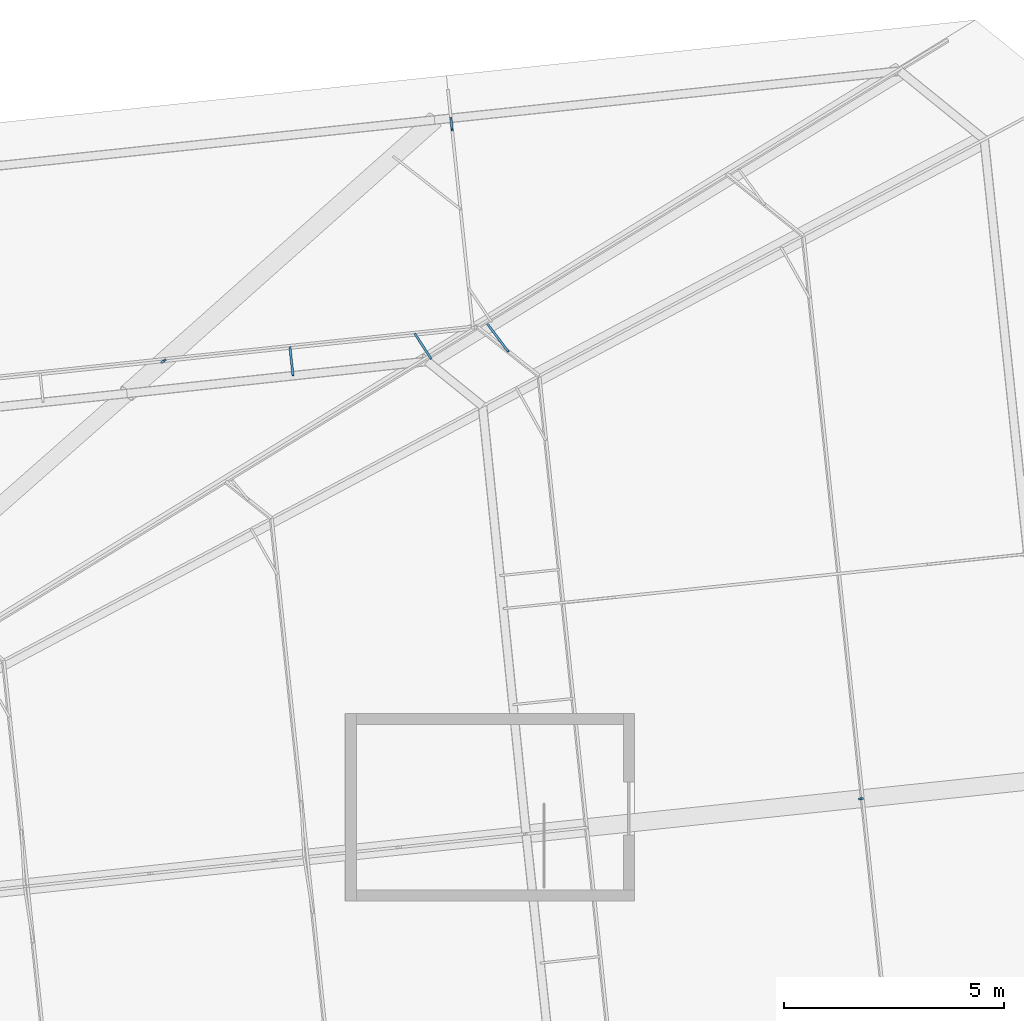
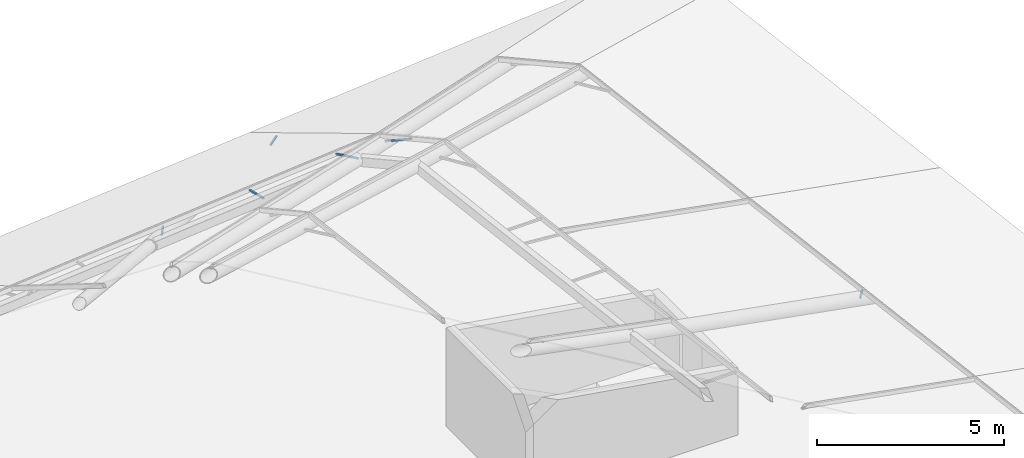
# One storey, part 18 of 20: 6 discrete accessories.
"""IFC4 building model written with IfcOpenShell, lengths in metres."""

from ifc_helpers import new_model, si_unit, direction, frame, origin, origin_2d, place, context, subcontext, project, spatial, rectangle, extrude, material, material_profile, profile_set, type_object, element, save


model = new_model("IFC4")

# Units and contexts
model_context = context("Model", 3, precision=1e-05, world=origin(), true_north=direction((0.0, 1.0)))
body_context = subcontext(model_context, "Body", "Model", "MODEL_VIEW")
ifc_project = project(units=[si_unit("LENGTHUNIT", "METRE"), si_unit("AREAUNIT", "SQUARE_METRE"), si_unit("VOLUMEUNIT", "CUBIC_METRE"), si_unit("PLANEANGLEUNIT", "RADIAN"), si_unit("MASSUNIT", "GRAM", prefix="KILO")], contexts=[model_context])

# Site, building, storey
site_placement = place(None, origin())
site = spatial("IfcSite", under=ifc_project, at=site_placement, CompositionType="ELEMENT")
building_placement = place(site_placement, origin())
building = spatial("IfcBuilding", under=site, at=building_placement, Name="Hakoniwa Tower and Hamabe Station Hall", CompositionType="ELEMENT")
storey_placement = place(building_placement, frame((0.0, 0.0, 285.0)))
storey = spatial("IfcBuildingStorey", under=building, at=storey_placement, Name="Roof", CompositionType="ELEMENT", Elevation=285.0)

# Discrete accessories
ifc_material = material(Name="Stainless steel SUS304", Category="steel")
ifc_material_profile = material_profile(ifc_material, rectangle(XDim=0.050048828125, YDim=0.050048828125, at=origin_2d()), Name="CW-4 GLAZING BRACKET 50X50")
ifc_profile_set = profile_set([ifc_material_profile], Name="Stainless steel SUS304")
discrete_accessory_type = type_object("IfcDiscreteAccessoryType", Name="CW-4 GLAZING BRACKET 50X50", PredefinedType="BRACKET", material=ifc_profile_set)
discrete_accessory_1_placement = place(storey_placement, frame((22.31640625, 20.98779296875, 0.595458984375), z_axis=(-0.054691924927, 0.51887210828, -0.853100538388), x_axis=(-0.994490715338, -0.104824697022, 0.0)))
element("IfcDiscreteAccessory", 1, at=discrete_accessory_1_placement, inside=storey, type_object=discrete_accessory_type, Name="Glazing bracket", PredefinedType="BRACKET", context=body_context, shape_type="SweptSolid", body=[
    extrude(rectangle(XDim=0.050048828125, YDim=0.050048828125, at=origin_2d()), origin(), (0.0, 0.0, 1.0), 0.522216796875),
])
discrete_accessory_2_placement = place(storey_placement, frame((31.6201171875, 5.823486328125, 1.511962890625), z_axis=(-0.245829259057, -0.025826420212, -0.968969025), x_axis=(0.10448334315, -0.994526636649, 0.0)))
element("IfcDiscreteAccessory", 2, at=discrete_accessory_2_placement, inside=storey, type_object=discrete_accessory_type, Name="Glazing bracket", PredefinedType="BRACKET", context=body_context, shape_type="SweptSolid", body=[
    extrude(rectangle(XDim=0.050048828125, YDim=0.050048828125, at=origin_2d()), origin(), (0.0, 0.0, 1.0), 0.255126953125),
])
discrete_accessory_3_placement = place(storey_placement, frame((23.58642578125, 15.96484375, 3.104248046875), z_axis=(-0.560593018755, 0.748341574458, -0.354570663282), x_axis=(-0.800340307434, -0.599545988475, 0.0)))
element("IfcDiscreteAccessory", 3, at=discrete_accessory_3_placement, inside=storey, type_object=discrete_accessory_type, Name="Glazing bracket", PredefinedType="BRACKET", context=body_context, shape_type="SweptSolid", body=[
    extrude(rectangle(XDim=0.050048828125, YDim=0.050048828125, at=origin_2d()), origin(), (0.0, 0.0, 1.0), 0.828369140625),
])
discrete_accessory_4_placement = place(storey_placement, frame((15.800537109375, 15.774658203125, 3.106689453125), z_axis=(-0.245036627605, -0.193114368224, -0.950086254988), x_axis=(0.618981400091, -0.785405644455, 0.0)))
element("IfcDiscreteAccessory", 4, at=discrete_accessory_4_placement, inside=storey, type_object=discrete_accessory_type, Name="Glazing bracket", PredefinedType="BRACKET", context=body_context, shape_type="SweptSolid", body=[
    extrude(rectangle(XDim=0.050048828125, YDim=0.050048828125, at=origin_2d()), origin(), (0.0, 0.0, 1.0), 0.26806640625),
])
discrete_accessory_5_placement = place(storey_placement, frame((18.635009765625, 16.072509765625, 3.106689453125), z_axis=(0.10535095562, -0.984499174117, 0.140223223159), x_axis=(0.994323170754, 0.106402218496, 0.0)))
element("IfcDiscreteAccessory", 5, at=discrete_accessory_5_placement, inside=storey, type_object=discrete_accessory_type, Name="Glazing bracket", PredefinedType="BRACKET", context=body_context, shape_type="SweptSolid", body=[
    extrude(rectangle(XDim=0.050048828125, YDim=0.050048828125, at=origin_2d()), origin(), (0.0, 0.0, 1.0), 0.6650390625),
])
discrete_accessory_6_placement = place(storey_placement, frame((21.4697265625, 16.370361328125, 3.106689453125), z_axis=(0.54106723165, -0.835094556217, 0.09931431423), x_axis=(0.839243682584, 0.543755497667, 0.0)))
element("IfcDiscreteAccessory", 6, at=discrete_accessory_6_placement, inside=storey, type_object=discrete_accessory_type, Name="Glazing bracket", PredefinedType="BRACKET", context=body_context, shape_type="SweptSolid", body=[
    extrude(rectangle(XDim=0.050048828125, YDim=0.050048828125, at=origin_2d()), origin(), (0.0, 0.0, 1.0), 0.685791015625),
])

save(model, "model.ifc")
